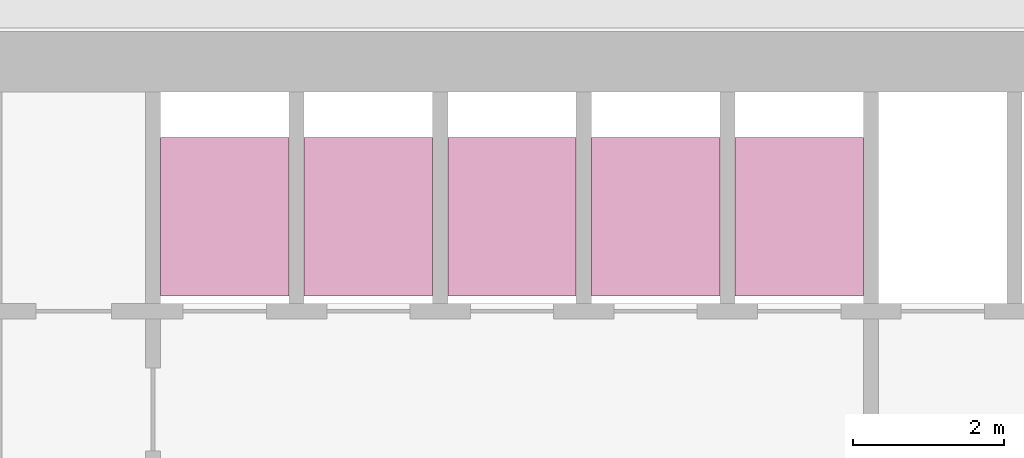
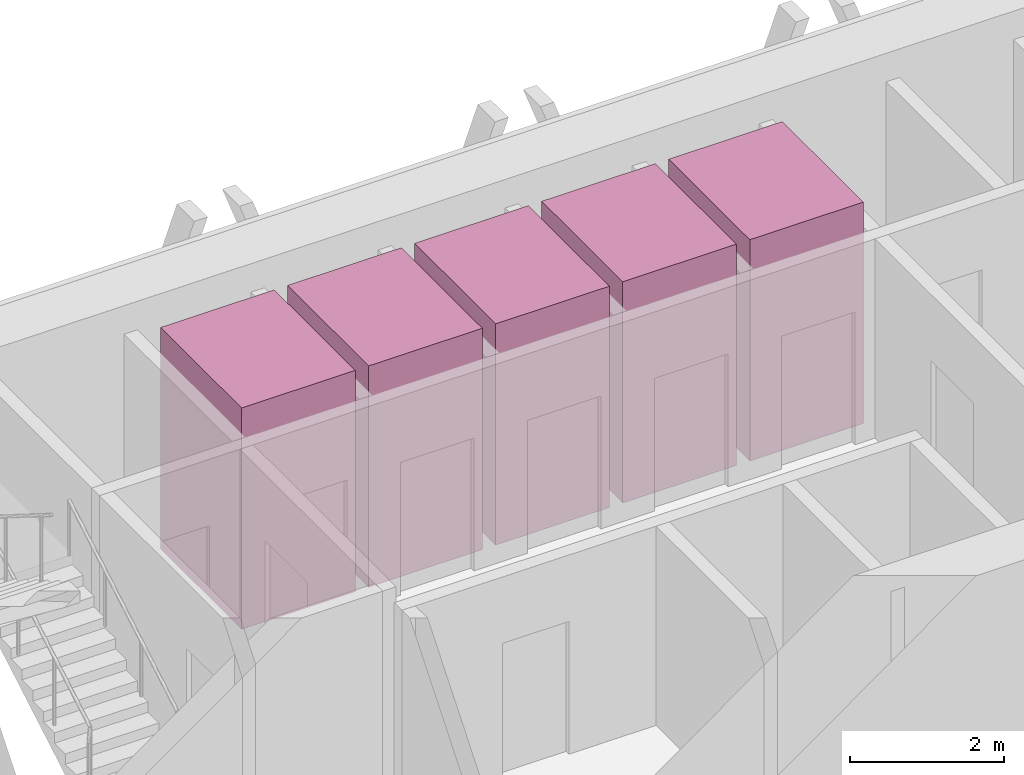
# One storey, part 16 of 16: 5 transport elements.
"""IFC4 building model written with IfcOpenShell, lengths in metres."""

from ifc_helpers import new_model, si_unit, direction, frame, origin, origin_2d, place, context, subcontext, project, spatial, rectangle, extrude, material, type_object, element, save


model = new_model("IFC4")

# Units and contexts
model_context = context("Model", 3, precision=1e-05, world=origin(), true_north=direction((0.0, 1.0)))
body_context = subcontext(model_context, "Body", "Model", "MODEL_VIEW")
ifc_project = project(units=[si_unit("LENGTHUNIT", "METRE"), si_unit("AREAUNIT", "SQUARE_METRE"), si_unit("VOLUMEUNIT", "CUBIC_METRE"), si_unit("PLANEANGLEUNIT", "RADIAN"), si_unit("MASSUNIT", "GRAM", prefix="KILO")], contexts=[model_context])

# Site, building, storey
site_placement = place(None, origin())
site = spatial("IfcSite", under=ifc_project, at=site_placement, CompositionType="ELEMENT")
building_placement = place(site_placement, origin())
building = spatial("IfcBuilding", under=site, at=building_placement, Name="Altiplano Prism Tower", CompositionType="ELEMENT")
storey_placement = place(building_placement, frame((0.0, 0.0, 145.800048828125)))
storey = spatial("IfcBuildingStorey", under=building, at=storey_placement, Name="L37", CompositionType="ELEMENT", Elevation=145.800048828125)

# Transport elements
ifc_material = material(Name="Stainless steel lift car", Category="steel")
transport_element_type = type_object("IfcTransportElementType", Name="Passenger lift car 1600 x 2100", PredefinedType="ELEVATOR", material=ifc_material)
for number, where, z_axis, x_axis, name in (
    (1, (79.050048828125, 101.75, 0.050048828125), (0.0, 0.0, 1.0), (1.0, 0.0, 0.0), "Mid Zone Passenger Lift 1"),
    (2, (80.949951171875, 101.75, 0.050048828125), (0.0, 0.0, 1.0), (1.0, 0.0, 0.0), "Mid Zone Passenger Lift 2"),
    (3, (82.85009765625, 101.75, 0.050048828125), (0.0, 0.0, 1.0), (1.0, 0.0, 0.0), "Mid Zone Passenger Lift 3"),
    (4, (84.75, 101.75, 0.050048828125), (0.0, 0.0, 1.0), (1.0, 0.0, 0.0), "Mid Zone Passenger Lift 4"),
    (5, (86.64990234375, 101.75, 0.050048828125), (0.0, 0.0, 1.0), (1.0, 0.0, 0.0), "Mid Zone Passenger Lift 5"),
):
    element("IfcTransportElement", number, at=place(storey_placement, frame(where, z_axis=z_axis, x_axis=x_axis)), inside=storey, type_object=transport_element_type, Name=name, PredefinedType="ELEVATOR", context=body_context, shape_type="SweptSolid", body=[
        extrude(rectangle(XDim=1.699951171875, YDim=2.10009765625, at=origin_2d()), origin(), (0.0, 0.0, 1.0), 3.5),
    ])

save(model, "model.ifc")
